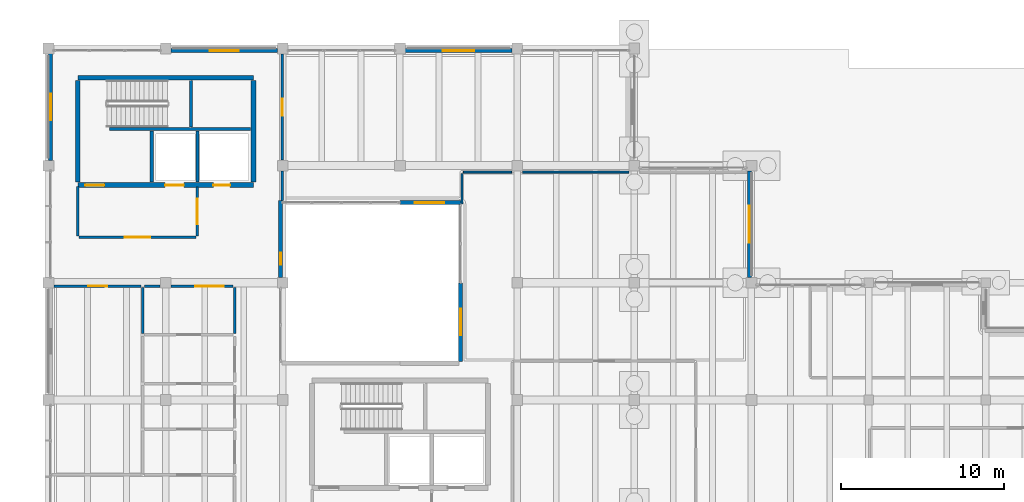
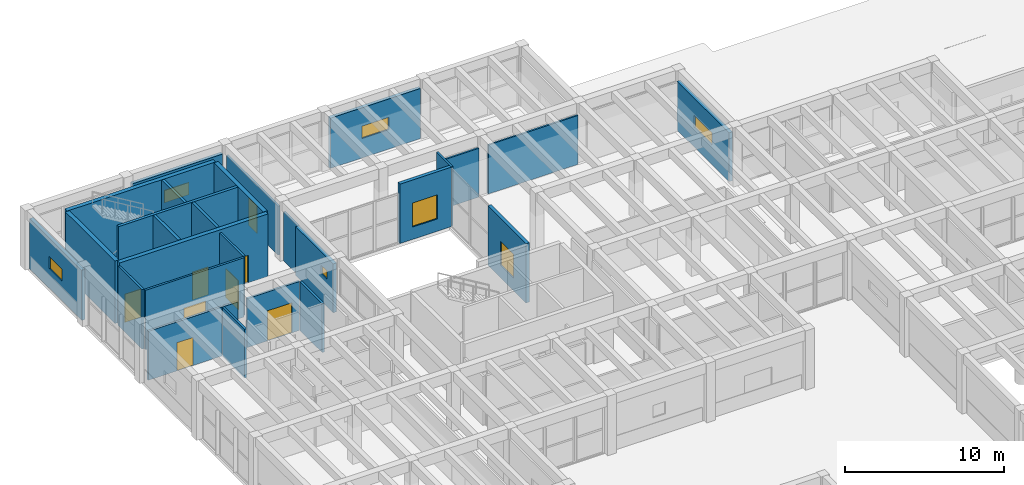
# One storey, part 124 of 155: 28 walls, 8 doors, 7 windows, 15 openings.
"""IFC4 building model written with IfcOpenShell, lengths in metres."""

from ifc_helpers import new_model, si_unit, direction, frame, frame_2d, origin, place, context, subcontext, project, spatial, rectangle, extrude, material, layer, layer_set, type_object, element, fill, save


model = new_model("IFC4")

# Units and contexts
model_context = context("Model", 3, precision=1e-05, world=origin(), true_north=direction((0.0, 1.0)))
body_context = subcontext(model_context, "Body", "Model", "MODEL_VIEW")
ifc_project = project(units=[si_unit("LENGTHUNIT", "METRE"), si_unit("AREAUNIT", "SQUARE_METRE"), si_unit("VOLUMEUNIT", "CUBIC_METRE"), si_unit("PLANEANGLEUNIT", "RADIAN"), si_unit("MASSUNIT", "GRAM", prefix="KILO")], contexts=[model_context])

# Site, building, storey
site_placement = place(None, origin())
site = spatial("IfcSite", under=ifc_project, at=site_placement, CompositionType="ELEMENT")
building_placement = place(site_placement, origin())
building = spatial("IfcBuilding", under=site, at=building_placement, Name="Bramvelor Terrace Health Centre", CompositionType="ELEMENT")
storey_placement = place(building_placement, origin())
storey = spatial("IfcBuildingStorey", under=building, at=storey_placement, Name="L01", CompositionType="ELEMENT", Elevation=0.0)

# Walls
ifc_material_1 = material(Name="Acoustic clinical partition board", Category="gypsum")
ifc_layer_1 = layer(ifc_material_1, 0.1201171875)
ifc_layer_set_1 = layer_set([ifc_layer_1], Name="Acoustic clinical partition board")
wall_type_1 = type_object("IfcWallType", Name="WL-CLN-120", PredefinedType="PARTITIONING", material=ifc_layer_set_1)
wall_1_placement = place(storey_placement, frame((25.489990234375, 107.60009765625, 0.0), z_axis=(0.0, 0.0, 1.0), x_axis=(1.0, 0.0, 0.0)))
element("IfcWall", 1, at=wall_1_placement, inside=storey, type_object=wall_type_1, Name="L01 Interior Partition 116", PredefinedType="PARTITIONING", context=body_context, shape_type="SweptSolid", body=[
    extrude(rectangle(XDim=2.969970703125, YDim=0.1201171875, at=frame_2d((1.48486328125, 0.0))), origin(), (0.0, 0.0, 1.0), 3.760009765625),
])
wall_2_placement = place(storey_placement, frame((29.139892578125, 107.60009765625, 0.0), z_axis=(0.0, 0.0, 1.0), x_axis=(1.0, 0.0, 0.0)))
element("IfcWall", 2, at=wall_2_placement, inside=storey, type_object=wall_type_1, Name="L01 Interior Partition 117", PredefinedType="PARTITIONING", context=body_context, shape_type="SweptSolid", body=[
    extrude(rectangle(XDim=6.52001953125, YDim=0.1201171875, at=frame_2d((3.260009765625, 0.0))), origin(), (0.0, 0.0, 1.0), 3.760009765625),
])
ifc_material_2 = material(Name="Acoustic clinical partition board", Category="gypsum")
ifc_layer_2 = layer(ifc_material_2, 0.1298828125)
ifc_layer_set_2 = layer_set([ifc_layer_2], Name="Acoustic clinical partition board")
wall_type_2 = type_object("IfcWallType", Name="WL-CLN-130", PredefinedType="PARTITIONING", material=ifc_layer_set_2)
wall_3_placement = place(storey_placement, frame((25.39990234375, 105.6494140625, 0.0), z_axis=(0.0, 0.0, 1.0), x_axis=(0.0, 1.0, 0.0)))
element("IfcWall", 3, at=wall_3_placement, inside=storey, type_object=wall_type_2, Name="L01 Interior Partition 115", PredefinedType="PARTITIONING", context=body_context, shape_type="SweptSolid", body=[
    extrude(rectangle(XDim=1.860595703125, YDim=0.1298828125, at=frame_2d((0.93017578125, 0.0))), origin(), (0.0, 0.0, 1.0), 4.570068359375),
])
ifc_material_3 = material(Name="Fire-rated gypsum and mineral wool", Category="gypsum")
ifc_layer_3 = layer(ifc_material_3, 0.139892578125)
ifc_layer_set_3 = layer_set([ifc_layer_3], Name="Fire-rated gypsum and mineral wool")
wall_type_3 = type_object("IfcWallType", Name="WL-COR-140", PredefinedType="PARTITIONING", material=ifc_layer_set_3)
wall_4_placement = place(storey_placement, frame((14.3701171875, 105.848388671875, 0.0), z_axis=(0.0, 0.0, 1.0), x_axis=(0.0, 1.0, 0.0)))
element("IfcWall", 4, at=wall_4_placement, inside=storey, type_object=wall_type_3, Name="L01 Interior Partition 119", PredefinedType="PARTITIONING", context=body_context, shape_type="SweptSolid", body=[
    extrude(rectangle(XDim=1.8115234375, YDim=0.139892578125, at=frame_2d((0.90576171875, 0.0))), origin(), (0.0, 0.0, 1.0), 3.760009765625),
])

# Wall, opening, door
wall_5_placement = place(storey_placement, frame((14.3701171875, 108.340087890625, 0.0), z_axis=(0.0, 0.0, 1.0), x_axis=(0.0, 1.0, 0.0)))
wall_5 = element("IfcWall", 5, at=wall_5_placement, inside=storey, type_object=wall_type_3, Name="L01 Interior Partition 120", PredefinedType="PARTITIONING", context=body_context, shape_type="SweptSolid", body=[
    extrude(rectangle(XDim=6.510009765625, YDim=0.139892578125, at=frame_2d((3.2548828125, 0.0))), origin(), (0.0, 0.0, 1.0), 3.760009765625),
])
opening_1_placement = place(wall_5_placement, frame((2.735107421875, 0.0, 0.0)))
opening_1 = element("IfcOpeningElement", 6, at=opening_1_placement, cuts=wall_5, Name="Opening FD-07", PredefinedType="OPENING", context=body_context, shape_type="SweptSolid", body=[
    extrude(rectangle(XDim=1.0400390625, YDim=2.1201171875, at=frame_2d((0.52001953125, 1.06005859375))), frame((0.0, 0.079833984375, 0.0), z_axis=(0.0, -1.0, 0.0), x_axis=(1.0, 0.0, 0.0)), (0.0, 0.0, 1.0), 0.159912109375),
])
ifc_material_4 = material(Name="Fire-rated steel and vision panel", Category="steel")
door_type_1 = type_object("IfcDoorType", Name="DR-FD60-104", OperationType="NOTDEFINED", PredefinedType="DOOR", material=ifc_material_4)
door_1_placement = place(opening_1_placement, origin())
door_1 = element("IfcDoor", 7, at=door_1_placement, inside=storey, type_object=door_type_1, Name="L01 Primary Care Nursing Suite Fire Door", OperationType="SINGLE_SWING_RIGHT", OverallHeight=2.1201171875, OverallWidth=1.0400390625, PredefinedType="DOOR", context=body_context, shape_type="SweptSolid", body=[
    extrude(rectangle(XDim=1.0400390625, YDim=2.1201171875, at=frame_2d((0.52001953125, 1.06005859375))), frame((0.0, 0.02490234375, 0.0), z_axis=(0.0, -1.0, 0.0), x_axis=(1.0, 0.0, 0.0)), (0.0, 0.0, 1.0), 0.050048828125),
])
fill(opening_1, door_1)

# Walls
ifc_material_5 = material(Name="Concrete C40/50", Category="concrete")
ifc_layer_4 = layer(ifc_material_5, 0.199951171875)
ifc_layer_set_4 = layer_set([ifc_layer_4], Name="Concrete C40/50")
wall_type_4 = type_object("IfcWallType", Name="WL-CORE-200", PredefinedType="SHEAR", material=ifc_layer_set_4)
wall_6_placement = place(storey_placement, frame((3.75, 110.25, 0.0), z_axis=(0.0, 0.0, 1.0), x_axis=(1.0, 0.0, 0.0)))
element("IfcWall", 8, at=wall_6_placement, inside=storey, type_object=wall_type_4, Name="C1 L01 Core Shear Wall", PredefinedType="SHEAR", context=body_context, shape_type="SweptSolid", body=[
    extrude(rectangle(XDim=8.669921875, YDim=0.199951171875, at=frame_2d((4.3349609375, 0.0))), origin(), (0.0, 0.0, 1.0), 4.800048828125),
])
wall_7_placement = place(storey_placement, frame((8.7548828125, 110.3701171875, 0.0), z_axis=(0.0, 0.0, 1.0), x_axis=(0.0, 1.0, 0.0)))
element("IfcWall", 9, at=wall_7_placement, inside=storey, type_object=wall_type_4, Name="C1 L01 Core Shear Wall", PredefinedType="SHEAR", context=body_context, shape_type="SweptSolid", body=[
    extrude(rectangle(XDim=2.849853515625, YDim=0.199951171875, at=frame_2d((1.4248046875, 0.0))), origin(), (0.0, 0.0, 1.0), 4.800048828125),
])
for number, where, z_axis, x_axis, name in (
    (10, (6.35009765625, 106.97998046875, 0.0), (0.0, 0.0, 1.0), (0.0, 1.0, 0.0), "C1 L01 Core Shear Wall"),
    (11, (9.14990234375, 106.97998046875, 0.0), (0.0, 0.0, 1.0), (0.0, 1.0, 0.0), "C1 L01 Lift Divider Wall"),
):
    element("IfcWall", number, at=place(storey_placement, frame(where, z_axis=z_axis, x_axis=x_axis)), inside=storey, type_object=wall_type_4, Name=name, PredefinedType="SHEAR", context=body_context, shape_type="SweptSolid", body=[
        extrude(rectangle(XDim=3.14990234375, YDim=0.199951171875, at=frame_2d((1.574951171875, 0.0))), origin(), (0.0, 0.0, 1.0), 4.800048828125),
    ])

# Wall, openings, doors
ifc_material_6 = material(Name="Concrete C40/50", Category="concrete")
ifc_layer_5 = layer(ifc_material_6, 0.300048828125)
ifc_layer_set_5 = layer_set([ifc_layer_5], Name="Concrete C40/50")
wall_type_5 = type_object("IfcWallType", Name="WL-CORE-300", PredefinedType="SHEAR", material=ifc_layer_set_5)
wall_8_placement = place(storey_placement, frame((1.800048828125, 106.800048828125, 0.0), z_axis=(0.0, 0.0, 1.0), x_axis=(1.0, 0.0, 0.0)))
wall_8 = element("IfcWall", 12, at=wall_8_placement, inside=storey, type_object=wall_type_5, Name="C1 L01 Core Shear Wall", PredefinedType="SHEAR", context=body_context, shape_type="SweptSolid", body=[
    extrude(rectangle(XDim=10.800048828125, YDim=0.300048828125, at=frame_2d((5.39990234375, 0.0))), origin(), (0.0, 0.0, 1.0), 4.800048828125),
])
opening_2_placement = place(wall_8_placement, frame((0.449951171875, 0.0, 0.0)))
opening_2 = element("IfcOpeningElement", 13, at=opening_2_placement, cuts=wall_8, Name="Opening FD-02", PredefinedType="OPENING", context=body_context, shape_type="SweptSolid", body=[
    extrude(rectangle(XDim=1.179931640625, YDim=2.159912109375, at=frame_2d((0.58984375, 1.080078125))), frame((0.0, 0.159912109375, 0.0), z_axis=(0.0, -1.0, 0.0), x_axis=(1.0, 0.0, 0.0)), (0.0, 0.0, 1.0), 0.320068359375),
])
opening_3_placement = place(wall_8_placement, frame((5.375, 0.0, 0.0)))
opening_3 = element("IfcOpeningElement", 14, at=opening_3_placement, cuts=wall_8, Name="Opening LD-1", PredefinedType="OPENING", context=body_context, shape_type="SweptSolid", body=[
    extrude(rectangle(XDim=1.14990234375, YDim=2.14990234375, at=frame_2d((0.574951171875, 1.074951171875))), frame((0.0, 0.159912109375, 0.0), z_axis=(0.0, -1.0, 0.0), x_axis=(1.0, 0.0, 0.0)), (0.0, 0.0, 1.0), 0.320068359375),
])
opening_4_placement = place(wall_8_placement, frame((8.340087890625, 0.0, 0.0)))
opening_4 = element("IfcOpeningElement", 15, at=opening_4_placement, cuts=wall_8, Name="Opening LD-2", PredefinedType="OPENING", context=body_context, shape_type="SweptSolid", body=[
    extrude(rectangle(XDim=1.02001953125, YDim=2.1201171875, at=frame_2d((0.510009765625, 1.06005859375))), frame((0.0, 0.159912109375, 0.0), z_axis=(0.0, -1.0, 0.0), x_axis=(1.0, 0.0, 0.0)), (0.0, 0.0, 1.0), 0.320068359375),
])
ifc_material_7 = material(Name="Fire-rated steel and vision panel", Category="steel")
door_type_2 = type_object("IfcDoorType", Name="DR-FD90-118", OperationType="NOTDEFINED", PredefinedType="DOOR", material=ifc_material_7)
door_2_placement = place(opening_2_placement, origin())
door_2 = element("IfcDoor", 16, at=door_2_placement, inside=storey, type_object=door_type_2, Name="C1 L01 Core Stair Fire Door", OperationType="SINGLE_SWING_LEFT", OverallHeight=2.159912109375, OverallWidth=1.179931640625, PredefinedType="DOOR", context=body_context, shape_type="SweptSolid", body=[
    extrude(rectangle(XDim=1.179931640625, YDim=2.159912109375, at=frame_2d((0.58984375, 1.080078125))), frame((0.0, 0.02490234375, 0.0), z_axis=(0.0, -1.0, 0.0), x_axis=(1.0, 0.0, 0.0)), (0.0, 0.0, 1.0), 0.050048828125),
])
fill(opening_2, door_2)
ifc_material_8 = material(Name="Brushed stainless steel 316", Category="steel")
door_type_3 = type_object("IfcDoorType", Name="DR-LIFT-FF115", OperationType="DOUBLE_DOOR_SLIDING", PredefinedType="DOOR", material=ifc_material_8)
door_3_placement = place(opening_3_placement, origin())
door_3 = element("IfcDoor", 17, at=door_3_placement, inside=storey, type_object=door_type_3, Name="Lift LF-01 L01 Sliding Landing Door", OperationType="DOUBLE_DOOR_SLIDING", OverallHeight=2.14990234375, OverallWidth=1.14990234375, PredefinedType="DOOR", context=body_context, shape_type="SweptSolid", body=[
    extrude(rectangle(XDim=1.14990234375, YDim=2.14990234375, at=frame_2d((0.574951171875, 1.074951171875))), frame((0.0, 0.02490234375, 0.0), z_axis=(0.0, -1.0, 0.0), x_axis=(1.0, 0.0, 0.0)), (0.0, 0.0, 1.0), 0.050048828125),
])
fill(opening_3, door_3)
ifc_material_9 = material(Name="Brushed stainless steel 316", Category="steel")
door_type_4 = type_object("IfcDoorType", Name="DR-LIFT-PS102", OperationType="SLIDING_TO_LEFT", PredefinedType="DOOR", material=ifc_material_9)
door_4_placement = place(opening_4_placement, origin())
door_4 = element("IfcDoor", 18, at=door_4_placement, inside=storey, type_object=door_type_4, Name="Lift LP-01 L01 Sliding Landing Door", OperationType="SLIDING_TO_LEFT", OverallHeight=2.1201171875, OverallWidth=1.02001953125, PredefinedType="DOOR", context=body_context, shape_type="SweptSolid", body=[
    extrude(rectangle(XDim=1.02001953125, YDim=2.1201171875, at=frame_2d((0.510009765625, 1.06005859375))), frame((0.0, 0.02490234375, 0.0), z_axis=(0.0, -1.0, 0.0), x_axis=(1.0, 0.0, 0.0)), (0.0, 0.0, 1.0), 0.050048828125),
])
fill(opening_4, door_4)

# Walls
wall_9_placement = place(storey_placement, frame((1.800048828125, 113.39990234375, 0.0), z_axis=(0.0, 0.0, 1.0), x_axis=(1.0, 0.0, 0.0)))
element("IfcWall", 19, at=wall_9_placement, inside=storey, type_object=wall_type_5, Name="C1 L01 Core Shear Wall", PredefinedType="SHEAR", context=body_context, shape_type="SweptSolid", body=[
    extrude(rectangle(XDim=10.800048828125, YDim=0.300048828125, at=frame_2d((5.39990234375, 0.0))), origin(), (0.0, 0.0, 1.0), 4.800048828125),
])
for number, where, z_axis, x_axis, name in (
    (20, (1.800048828125, 106.97998046875, 0.0), (0.0, 0.0, 1.0), (0.0, 1.0, 0.0), "C1 L01 Core Shear Wall"),
    (21, (12.60009765625, 106.97998046875, 0.0), (0.0, 0.0, 1.0), (0.0, 1.0, 0.0), "C1 L01 Core Shear Wall"),
):
    element("IfcWall", number, at=place(storey_placement, frame(where, z_axis=z_axis, x_axis=x_axis)), inside=storey, type_object=wall_type_5, Name=name, PredefinedType="SHEAR", context=body_context, shape_type="SweptSolid", body=[
        extrude(rectangle(XDim=6.239990234375, YDim=0.300048828125, at=frame_2d((3.1201171875, 0.0))), origin(), (0.0, 0.0, 1.0), 4.800048828125),
    ])

# Wall, opening, window
ifc_material_10 = material(Name="Precast concrete C40/50", Category="concrete")
ifc_layer_6 = layer(ifc_material_10, 0.25)
ifc_layer_set_6 = layer_set([ifc_layer_6], Name="Precast concrete C40/50")
wall_type_6 = type_object("IfcWallType", Name="WL-EXT-RC250", PredefinedType="SOLIDWALL", material=ifc_layer_set_6)
wall_10_placement = place(storey_placement, frame((0.1298828125, 108.320068359375, 0.0), z_axis=(0.0, 0.0, 1.0), x_axis=(0.0, 1.0, 0.0)))
wall_10 = element("IfcWall", 22, at=wall_10_placement, inside=storey, type_object=wall_type_6, Name="L01 Exterior Facade Wall 41", PredefinedType="SOLIDWALL", context=body_context, shape_type="SweptSolid", body=[
    extrude(rectangle(XDim=6.559814453125, YDim=0.25, at=frame_2d((3.27978515625, 0.0))), origin(), (0.0, 0.0, 1.0), 3.860107421875),
])
opening_5_placement = place(wall_10_placement, frame((2.455078125, 0.0, 1.5)))
opening_5 = element("IfcOpeningElement", 23, at=opening_5_placement, cuts=wall_10, Name="Opening WN-19", PredefinedType="OPENING", context=body_context, shape_type="SweptSolid", body=[
    extrude(rectangle(XDim=1.64990234375, YDim=0.949951171875, at=frame_2d((0.824951171875, 0.47509765625))), frame((0.0, 0.135009765625, 0.0), z_axis=(0.0, -1.0, 0.0), x_axis=(1.0, 0.0, 0.0)), (0.0, 0.0, 1.0), 0.27001953125),
])
ifc_material_11 = material(Name="Double low-E laminated glass", Category="glass")
window_type_1 = type_object("IfcWindowType", Name="WIN-EXT-19", PartitioningType="SINGLE_PANEL", PredefinedType="WINDOW", material=ifc_material_11)
window_1_placement = place(opening_5_placement, origin())
window_1 = element("IfcWindow", 24, at=window_1_placement, inside=storey, type_object=window_type_1, Name="L01 Scheduled Clinical Window 19", OverallHeight=0.949951171875, OverallWidth=1.64990234375, PartitioningType="SINGLE_PANEL", PredefinedType="WINDOW", context=body_context, shape_type="SweptSolid", body=[
    extrude(rectangle(XDim=1.64990234375, YDim=0.949951171875, at=frame_2d((0.824951171875, 0.47509765625))), frame((0.0, 0.030029296875, 0.0), z_axis=(0.0, -1.0, 0.0), x_axis=(1.0, 0.0, 0.0)), (0.0, 0.0, 1.0), 0.06005859375),
])
fill(opening_5, window_1)

wall_11_placement = place(storey_placement, frame((7.52001953125, 115.070068359375, 0.0), z_axis=(0.0, 0.0, 1.0), x_axis=(1.0, 0.0, 0.0)))
wall_11 = element("IfcWall", 25, at=wall_11_placement, inside=storey, type_object=wall_type_6, Name="L01 Exterior Facade Wall 43", PredefinedType="SOLIDWALL", context=body_context, shape_type="SweptSolid", body=[
    extrude(rectangle(XDim=6.56005859375, YDim=0.25, at=frame_2d((3.280029296875, 0.0))), origin(), (0.0, 0.0, 1.0), 3.860107421875),
])
opening_6_placement = place(wall_11_placement, frame((2.3798828125, 0.0, 1.5)))
opening_6 = element("IfcOpeningElement", 26, at=opening_6_placement, cuts=wall_11, Name="Opening WN-20", PredefinedType="OPENING", context=body_context, shape_type="SweptSolid", body=[
    extrude(rectangle(XDim=1.800048828125, YDim=0.949951171875, at=frame_2d((0.89990234375, 0.47509765625))), frame((0.0, 0.135009765625, 0.0), z_axis=(0.0, -1.0, 0.0), x_axis=(1.0, 0.0, 0.0)), (0.0, 0.0, 1.0), 0.27001953125),
])
ifc_material_12 = material(Name="Double low-E laminated glass", Category="glass")
window_type_2 = type_object("IfcWindowType", Name="WIN-EXT-20", PartitioningType="SINGLE_PANEL", PredefinedType="WINDOW", material=ifc_material_12)
window_2_placement = place(opening_6_placement, origin())
window_2 = element("IfcWindow", 27, at=window_2_placement, inside=storey, type_object=window_type_2, Name="L01 Scheduled Clinical Window 20", OverallHeight=0.949951171875, OverallWidth=1.800048828125, PartitioningType="SINGLE_PANEL", PredefinedType="WINDOW", context=body_context, shape_type="SweptSolid", body=[
    extrude(rectangle(XDim=1.800048828125, YDim=0.949951171875, at=frame_2d((0.89990234375, 0.47509765625))), frame((0.0, 0.030029296875, 0.0), z_axis=(0.0, -1.0, 0.0), x_axis=(1.0, 0.0, 0.0)), (0.0, 0.0, 1.0), 0.06005859375),
])
fill(opening_6, window_2)

wall_12_placement = place(storey_placement, frame((21.919921875, 115.070068359375, 0.0), z_axis=(0.0, 0.0, 1.0), x_axis=(1.0, 0.0, 0.0)))
wall_12 = element("IfcWall", 28, at=wall_12_placement, inside=storey, type_object=wall_type_6, Name="L01 Exterior Facade Wall 45", PredefinedType="SOLIDWALL", context=body_context, shape_type="SweptSolid", body=[
    extrude(rectangle(XDim=6.56005859375, YDim=0.25, at=frame_2d((3.280029296875, 0.0))), origin(), (0.0, 0.0, 1.0), 3.860107421875),
])
opening_7_placement = place(wall_12_placement, frame((2.304931640625, 0.0, 1.5)))
opening_7 = element("IfcOpeningElement", 29, at=opening_7_placement, cuts=wall_12, Name="Opening WN-21", PredefinedType="OPENING", context=body_context, shape_type="SweptSolid", body=[
    extrude(rectangle(XDim=1.949951171875, YDim=0.949951171875, at=frame_2d((0.97509765625, 0.47509765625))), frame((0.0, 0.135009765625, 0.0), z_axis=(0.0, -1.0, 0.0), x_axis=(1.0, 0.0, 0.0)), (0.0, 0.0, 1.0), 0.27001953125),
])
ifc_material_13 = material(Name="Double low-E laminated glass", Category="glass")
window_type_3 = type_object("IfcWindowType", Name="WIN-EXT-21", PartitioningType="SINGLE_PANEL", PredefinedType="WINDOW", material=ifc_material_13)
window_3_placement = place(opening_7_placement, origin())
window_3 = element("IfcWindow", 30, at=window_3_placement, inside=storey, type_object=window_type_3, Name="L01 Scheduled Clinical Window 21", OverallHeight=0.949951171875, OverallWidth=1.949951171875, PartitioningType="SINGLE_PANEL", PredefinedType="WINDOW", context=body_context, shape_type="SweptSolid", body=[
    extrude(rectangle(XDim=1.949951171875, YDim=0.949951171875, at=frame_2d((0.97509765625, 0.47509765625))), frame((0.0, 0.030029296875, 0.0), z_axis=(0.0, -1.0, 0.0), x_axis=(1.0, 0.0, 0.0)), (0.0, 0.0, 1.0), 0.06005859375),
])
fill(opening_7, window_3)

wall_13_placement = place(storey_placement, frame((43.070068359375, 107.679931640625, 0.0), z_axis=(0.0, 0.0, 1.0), x_axis=(0.0, -1.0, 0.0)))
wall_13 = element("IfcWall", 31, at=wall_13_placement, inside=storey, type_object=wall_type_6, Name="L01 Exterior Facade Wall 49", PredefinedType="SOLIDWALL", context=body_context, shape_type="SweptSolid", body=[
    extrude(rectangle(XDim=6.559814453125, YDim=0.25, at=frame_2d((3.27978515625, 0.0))), origin(), (0.0, 0.0, 1.0), 3.760009765625),
])
opening_8_placement = place(wall_13_placement, frame((2.155029296875, 0.0, 1.5)))
opening_8 = element("IfcOpeningElement", 32, at=opening_8_placement, cuts=wall_13, Name="Opening WN-23", PredefinedType="OPENING", context=body_context, shape_type="SweptSolid", body=[
    extrude(rectangle(XDim=2.25, YDim=0.949951171875, at=frame_2d((1.125, 0.47509765625))), frame((0.0, 0.135009765625, 0.0), z_axis=(0.0, -1.0, 0.0), x_axis=(1.0, 0.0, 0.0)), (0.0, 0.0, 1.0), 0.27001953125),
])
ifc_material_14 = material(Name="Double low-E laminated glass", Category="glass")
window_type_4 = type_object("IfcWindowType", Name="WIN-EXT-23", PartitioningType="SINGLE_PANEL", PredefinedType="WINDOW", material=ifc_material_14)
window_4_placement = place(opening_8_placement, origin())
window_4 = element("IfcWindow", 33, at=window_4_placement, inside=storey, type_object=window_type_4, Name="L01 Scheduled Clinical Window 23", OverallHeight=0.949951171875, OverallWidth=2.25, PartitioningType="SINGLE_PANEL", PredefinedType="WINDOW", context=body_context, shape_type="SweptSolid", body=[
    extrude(rectangle(XDim=2.25, YDim=0.949951171875, at=frame_2d((1.125, 0.47509765625))), frame((0.0, 0.030029296875, 0.0), z_axis=(0.0, -1.0, 0.0), x_axis=(1.0, 0.0, 0.0)), (0.0, 0.0, 1.0), 0.06005859375),
])
fill(opening_8, window_4)

wall_14_placement = place(storey_placement, frame((25.330078125, 95.97998046875, 0.0), z_axis=(0.0, 0.0, 1.0), x_axis=(0.0, 1.0, 0.0)))
wall_14 = element("IfcWall", 34, at=wall_14_placement, inside=storey, type_object=wall_type_6, Name="L01 Exterior Facade Wall 143", PredefinedType="SOLIDWALL", context=body_context, shape_type="SweptSolid", body=[
    extrude(rectangle(XDim=4.820068359375, YDim=0.25, at=frame_2d((2.41015625, 0.0))), origin(), (0.0, 0.0, 1.0), 4.570068359375),
])
opening_9_placement = place(wall_14_placement, frame((1.5849609375, 0.0, 0.949951171875)))
opening_9 = element("IfcOpeningElement", 35, at=opening_9_placement, cuts=wall_14, Name="Opening WN-55", PredefinedType="OPENING", context=body_context, shape_type="SweptSolid", body=[
    extrude(rectangle(XDim=1.64990234375, YDim=1.85009765625, at=frame_2d((0.824951171875, 0.925048828125))), frame((0.0, 0.135009765625, 0.0), z_axis=(0.0, -1.0, 0.0), x_axis=(1.0, 0.0, 0.0)), (0.0, 0.0, 1.0), 0.27001953125),
])
ifc_material_15 = material(Name="Double low-E laminated glass", Category="glass")
window_type_5 = type_object("IfcWindowType", Name="WIN-EXT-55", PartitioningType="SINGLE_PANEL", PredefinedType="WINDOW", material=ifc_material_15)
window_5_placement = place(opening_9_placement, origin())
window_5 = element("IfcWindow", 36, at=window_5_placement, inside=storey, type_object=window_type_5, Name="L01 Scheduled Clinical Window 55", OverallHeight=1.85009765625, OverallWidth=1.64990234375, PartitioningType="SINGLE_PANEL", PredefinedType="WINDOW", context=body_context, shape_type="SweptSolid", body=[
    extrude(rectangle(XDim=1.64990234375, YDim=1.85009765625, at=frame_2d((0.824951171875, 0.925048828125))), frame((0.0, 0.030029296875, 0.0), z_axis=(0.0, -1.0, 0.0), x_axis=(1.0, 0.0, 0.0)), (0.0, 0.0, 1.0), 0.06005859375),
])
fill(opening_9, window_5)

wall_15_placement = place(storey_placement, frame((25.35107421875, 105.72998046875, 0.0), z_axis=(0.0, 0.0, 1.0), x_axis=(-1.0, 0.0, 0.0)))
wall_15 = element("IfcWall", 37, at=wall_15_placement, inside=storey, type_object=wall_type_6, Name="L01 Exterior Facade Wall 145", PredefinedType="SOLIDWALL", context=body_context, shape_type="SweptSolid", body=[
    extrude(rectangle(XDim=3.7509765625, YDim=0.25, at=frame_2d((1.87548828125, 0.0))), origin(), (0.0, 0.0, 1.0), 4.570068359375),
])
opening_10_placement = place(wall_15_placement, frame((1.031005859375, 0.0, 0.949951171875)))
opening_10 = element("IfcOpeningElement", 38, at=opening_10_placement, cuts=wall_15, Name="Opening WN-56", PredefinedType="OPENING", context=body_context, shape_type="SweptSolid", body=[
    extrude(rectangle(XDim=1.800048828125, YDim=1.85009765625, at=frame_2d((0.89990234375, 0.925048828125))), frame((0.0, 0.135009765625, 0.0), z_axis=(0.0, -1.0, 0.0), x_axis=(1.0, 0.0, 0.0)), (0.0, 0.0, 1.0), 0.27001953125),
])
ifc_material_16 = material(Name="Double low-E laminated glass", Category="glass")
window_type_6 = type_object("IfcWindowType", Name="WIN-EXT-56", PartitioningType="SINGLE_PANEL", PredefinedType="WINDOW", material=ifc_material_16)
window_6_placement = place(opening_10_placement, origin())
window_6 = element("IfcWindow", 39, at=window_6_placement, inside=storey, type_object=window_type_6, Name="L01 Scheduled Clinical Window 56", OverallHeight=1.85009765625, OverallWidth=1.800048828125, PartitioningType="SINGLE_PANEL", PredefinedType="WINDOW", context=body_context, shape_type="SweptSolid", body=[
    extrude(rectangle(XDim=1.800048828125, YDim=1.85009765625, at=frame_2d((0.89990234375, 0.925048828125))), frame((0.0, 0.030029296875, 0.0), z_axis=(0.0, -1.0, 0.0), x_axis=(1.0, 0.0, 0.0)), (0.0, 0.0, 1.0), 0.06005859375),
])
fill(opening_10, window_6)

wall_16_placement = place(storey_placement, frame((14.27001953125, 105.861083984375, 0.0), z_axis=(0.0, 0.0, 1.0), x_axis=(0.0, -1.0, 0.0)))
wall_16 = element("IfcWall", 40, at=wall_16_placement, inside=storey, type_object=wall_type_6, Name="L01 Exterior Facade Wall 147", PredefinedType="SOLIDWALL", context=body_context, shape_type="SweptSolid", body=[
    extrude(rectangle(XDim=4.740966796875, YDim=0.25, at=frame_2d((2.37060546875, 0.0))), origin(), (0.0, 0.0, 1.0), 3.760009765625),
])
opening_11_placement = place(wall_16_placement, frame((3.216064453125, 0.0, 2.10009765625)))
opening_11 = element("IfcOpeningElement", 41, at=opening_11_placement, cuts=wall_16, Name="Opening WN-01", PredefinedType="OPENING", context=body_context, shape_type="SweptSolid", body=[
    extrude(rectangle(XDim=0.75, YDim=0.64990234375, at=frame_2d((0.375, 0.324951171875))), frame((0.0, 0.135009765625, 0.0), z_axis=(0.0, -1.0, 0.0), x_axis=(1.0, 0.0, 0.0)), (0.0, 0.0, 1.0), 0.27001953125),
])
ifc_material_17 = material(Name="Double low-E laminated glass", Category="glass")
window_type_7 = type_object("IfcWindowType", Name="WIN-EXT-01", PartitioningType="SINGLE_PANEL", PredefinedType="WINDOW", material=ifc_material_17)
window_7_placement = place(opening_11_placement, origin())
window_7 = element("IfcWindow", 42, at=window_7_placement, inside=storey, type_object=window_type_7, Name="L01 Scheduled Clinical Window 57", OverallHeight=0.64990234375, OverallWidth=0.75, PartitioningType="SINGLE_PANEL", PredefinedType="WINDOW", context=body_context, shape_type="SweptSolid", body=[
    extrude(rectangle(XDim=0.75, YDim=0.64990234375, at=frame_2d((0.375, 0.324951171875))), frame((0.0, 0.030029296875, 0.0), z_axis=(0.0, -1.0, 0.0), x_axis=(1.0, 0.0, 0.0)), (0.0, 0.0, 1.0), 0.06005859375),
])
fill(opening_11, window_7)

# Wall
ifc_material_18 = material(Name="Fire-rated gypsum and mineral wool", Category="gypsum")
ifc_layer_7 = layer(ifc_material_18, 0.14990234375)
ifc_layer_set_7 = layer_set([ifc_layer_7], Name="Fire-rated gypsum and mineral wool")
wall_type_7 = type_object("IfcWallType", Name="WL-FIR-150", PredefinedType="PARTITIONING", material=ifc_layer_set_7)
wall_17_placement = place(storey_placement, frame((1.800048828125, 103.68994140625, 0.0), z_axis=(0.0, 0.0, 1.0), x_axis=(0.0, 1.0, 0.0)))
element("IfcWall", 43, at=wall_17_placement, inside=storey, type_object=wall_type_7, Name="L01 Interior Partition 46", PredefinedType="PARTITIONING", context=body_context, shape_type="SweptSolid", body=[
    extrude(rectangle(XDim=3.01513671875, YDim=0.14990234375, at=frame_2d((1.507568359375, 0.0))), origin(), (0.0, 0.0, 1.0), 4.570068359375),
])

# Wall, opening, door
wall_18_placement = place(storey_placement, frame((9.14990234375, 106.68310546875, 0.0), z_axis=(0.0, 0.0, 1.0), x_axis=(0.0, -1.0, 0.0)))
wall_18 = element("IfcWall", 44, at=wall_18_placement, inside=storey, type_object=wall_type_7, Name="L01 Interior Partition 47", PredefinedType="PARTITIONING", context=body_context, shape_type="SweptSolid", body=[
    extrude(rectangle(XDim=2.9931640625, YDim=0.14990234375, at=frame_2d((1.49658203125, 0.0))), origin(), (0.0, 0.0, 1.0), 4.570068359375),
])
opening_12_placement = place(wall_18_placement, frame((0.716552734375, 0.0, 0.0)))
opening_12 = element("IfcOpeningElement", 45, at=opening_12_placement, cuts=wall_18, Name="Opening FD-03", PredefinedType="OPENING", context=body_context, shape_type="SweptSolid", body=[
    extrude(rectangle(XDim=1.56005859375, YDim=2.219970703125, at=frame_2d((0.780029296875, 1.10986328125))), frame((0.0, 0.0849609375, 0.0), z_axis=(0.0, -1.0, 0.0), x_axis=(1.0, 0.0, 0.0)), (0.0, 0.0, 1.0), 0.169921875),
])
ifc_material_19 = material(Name="Fire-rated steel and vision panel", Category="steel")
door_type_5 = type_object("IfcDoorType", Name="DR-FD90-156", OperationType="DOUBLE_DOOR_SINGLE_SWING", PredefinedType="DOOR", material=ifc_material_19)
door_5_placement = place(opening_12_placement, origin())
door_5 = element("IfcDoor", 46, at=door_5_placement, inside=storey, type_object=door_type_5, Name="L01 Fire Compartment Lobby Door 18", OperationType="DOUBLE_DOOR_SINGLE_SWING", OverallHeight=2.219970703125, OverallWidth=1.56005859375, PredefinedType="DOOR", context=body_context, shape_type="SweptSolid", body=[
    extrude(rectangle(XDim=1.56005859375, YDim=2.219970703125, at=frame_2d((0.780029296875, 1.10986328125))), frame((0.0, 0.02490234375, 0.0), z_axis=(0.0, -1.0, 0.0), x_axis=(1.0, 0.0, 0.0)), (0.0, 0.0, 1.0), 0.050048828125),
])
fill(opening_12, door_5)

wall_19_placement = place(storey_placement, frame((9.06005859375, 103.60009765625, 0.0), z_axis=(0.0, 0.0, 1.0), x_axis=(-1.0, 0.0, 0.0)))
wall_19 = element("IfcWall", 47, at=wall_19_placement, inside=storey, type_object=wall_type_7, Name="L01 Interior Partition 48", PredefinedType="PARTITIONING", context=body_context, shape_type="SweptSolid", body=[
    extrude(rectangle(XDim=7.170166015625, YDim=0.14990234375, at=frame_2d((3.5849609375, 0.0))), origin(), (0.0, 0.0, 1.0), 4.570068359375),
])
opening_13_placement = place(wall_19_placement, frame((2.804931640625, 0.0, 0.0)))
opening_13 = element("IfcOpeningElement", 48, at=opening_13_placement, cuts=wall_19, Name="Opening FD-03", PredefinedType="OPENING", context=body_context, shape_type="SweptSolid", body=[
    extrude(rectangle(XDim=1.56005859375, YDim=2.219970703125, at=frame_2d((0.780029296875, 1.10986328125))), frame((0.0, 0.0849609375, 0.0), z_axis=(0.0, -1.0, 0.0), x_axis=(1.0, 0.0, 0.0)), (0.0, 0.0, 1.0), 0.169921875),
])
door_6_placement = place(opening_13_placement, origin())
door_6 = element("IfcDoor", 49, at=door_6_placement, inside=storey, type_object=door_type_5, Name="L01 Fire Compartment Lobby Door 19", OperationType="DOUBLE_DOOR_SINGLE_SWING", OverallHeight=2.219970703125, OverallWidth=1.56005859375, PredefinedType="DOOR", context=body_context, shape_type="SweptSolid", body=[
    extrude(rectangle(XDim=1.56005859375, YDim=2.219970703125, at=frame_2d((0.780029296875, 1.10986328125))), frame((0.0, 0.02490234375, 0.0), z_axis=(0.0, -1.0, 0.0), x_axis=(1.0, 0.0, 0.0)), (0.0, 0.0, 1.0), 0.050048828125),
])
fill(opening_13, door_6)

# Wall
wall_20_placement = place(storey_placement, frame((5.800048828125, 97.68994140625, 0.0), z_axis=(0.0, 0.0, 1.0), x_axis=(0.0, 1.0, 0.0)))
element("IfcWall", 50, at=wall_20_placement, inside=storey, type_object=wall_type_7, Name="L01 Interior Partition 65", PredefinedType="PARTITIONING", context=body_context, shape_type="SweptSolid", body=[
    extrude(rectangle(XDim=2.818115234375, YDim=0.14990234375, at=frame_2d((1.4091796875, 0.0))), origin(), (0.0, 0.0, 1.0), 3.760009765625),
])

# Wall, opening, door
wall_21_placement = place(storey_placement, frame((0.35009765625, 100.60009765625, 0.0), z_axis=(0.0, 0.0, 1.0), x_axis=(0.999999915657, -0.000410715066, 0.0)))
wall_21 = element("IfcWall", 51, at=wall_21_placement, inside=storey, type_object=wall_type_7, Name="L01 Interior Partition 75", PredefinedType="PARTITIONING", context=body_context, shape_type="SweptSolid", body=[
    extrude(rectangle(XDim=5.349853515625, YDim=0.14990234375, at=frame_2d((2.6748046875, 0.0))), origin(), (0.0, 0.0, 1.0), 3.760009765625),
])
opening_14_placement = place(wall_21_placement, frame((2.0849609375, 0.0, 0.0)))
opening_14 = element("IfcOpeningElement", 52, at=opening_14_placement, cuts=wall_21, Name="Opening FD-02", PredefinedType="OPENING", context=body_context, shape_type="SweptSolid", body=[
    extrude(rectangle(XDim=1.179931640625, YDim=2.159912109375, at=frame_2d((0.58984375, 1.080078125))), frame((0.0, 0.0849609375, 0.0), z_axis=(0.0, -1.0, 0.0), x_axis=(1.0, 0.0, 0.0)), (0.0, 0.0, 1.0), 0.169921875),
])
door_7_placement = place(opening_14_placement, origin())
door_7 = element("IfcDoor", 53, at=door_7_placement, inside=storey, type_object=door_type_2, Name="L01 Fire Command Room Fire Door", OperationType="SINGLE_SWING_LEFT", OverallHeight=2.159912109375, OverallWidth=1.179931640625, PredefinedType="DOOR", context=body_context, shape_type="SweptSolid", body=[
    extrude(rectangle(XDim=1.179931640625, YDim=2.159912109375, at=frame_2d((0.58984375, 1.080078125))), frame((0.0, 0.02490234375, 0.0), z_axis=(0.0, -1.0, 0.0), x_axis=(1.0, 0.0, 0.0)), (0.0, 0.0, 1.0), 0.050048828125),
])
fill(opening_14, door_7)

# Wall
ifc_material_20 = material(Name="Moisture-resistant service chase board", Category="gypsum")
ifc_layer_8 = layer(ifc_material_20, 0.159912109375)
ifc_layer_set_8 = layer_set([ifc_layer_8], Name="Moisture-resistant service chase board")
wall_type_8 = type_object("IfcWallType", Name="WL-PLM-160", PredefinedType="PLUMBINGWALL", material=ifc_layer_set_8)
wall_22_placement = place(storey_placement, frame((5.889892578125, 100.597900390625, 0.0), z_axis=(0.0, 0.0, 1.0), x_axis=(1.0, 0.0, 0.0)))
element("IfcWall", 54, at=wall_22_placement, inside=storey, type_object=wall_type_8, Name="L01 Interior Partition 61", PredefinedType="PLUMBINGWALL", context=body_context, shape_type="SweptSolid", body=[
    extrude(rectangle(XDim=0.97021484375, YDim=0.159912109375, at=frame_2d((0.485107421875, 0.0))), origin(), (0.0, 0.0, 1.0), 3.760009765625),
])

# Wall, opening, door
wall_23_placement = place(storey_placement, frame((7.5400390625, 100.597900390625, 0.0), z_axis=(0.0, 0.0, 1.0), x_axis=(1.0, 0.0, 0.0)))
wall_23 = element("IfcWall", 55, at=wall_23_placement, inside=storey, type_object=wall_type_8, Name="L01 Interior Partition 62", PredefinedType="PLUMBINGWALL", context=body_context, shape_type="SweptSolid", body=[
    extrude(rectangle(XDim=3.81005859375, YDim=0.159912109375, at=frame_2d((1.905029296875, 0.0))), origin(), (0.0, 0.0, 1.0), 3.760009765625),
])
opening_15_placement = place(wall_23_placement, frame((1.465087890625, 0.0, 0.0)))
opening_15 = element("IfcOpeningElement", 56, at=opening_15_placement, cuts=wall_23, Name="Opening ID-DB2", PredefinedType="OPENING", context=body_context, shape_type="SweptSolid", body=[
    extrude(rectangle(XDim=1.780029296875, YDim=2.320068359375, at=frame_2d((0.89013671875, 1.16015625))), frame((0.0, 0.08984375, 0.0), z_axis=(0.0, -1.0, 0.0), x_axis=(1.0, 0.0, 0.0)), (0.0, 0.0, 1.0), 0.179931640625),
])
ifc_material_21 = material(Name="Solid-core acoustic timber laminate", Category="wood")
door_type_6 = type_object("IfcDoorType", Name="DR-DBL-178", OperationType="DOUBLE_DOOR_SINGLE_SWING", PredefinedType="DOOR", material=ifc_material_21)
door_8_placement = place(opening_15_placement, origin())
door_8 = element("IfcDoor", 57, at=door_8_placement, inside=storey, type_object=door_type_6, Name="L01 Accessible Male WC Clinical Door", OperationType="DOUBLE_DOOR_SINGLE_SWING", OverallHeight=2.320068359375, OverallWidth=1.780029296875, PredefinedType="DOOR", context=body_context, shape_type="SweptSolid", body=[
    extrude(rectangle(XDim=1.780029296875, YDim=2.320068359375, at=frame_2d((0.89013671875, 1.16015625))), frame((0.0, 0.02490234375, 0.0), z_axis=(0.0, -1.0, 0.0), x_axis=(1.0, 0.0, 0.0)), (0.0, 0.0, 1.0), 0.050048828125),
])
fill(opening_15, door_8)

# Wall
wall_24_placement = place(storey_placement, frame((11.43994140625, 100.508056640625, 0.0), z_axis=(0.0, 0.0, 1.0), x_axis=(0.0, -1.0, 0.0)))
element("IfcWall", 58, at=wall_24_placement, inside=storey, type_object=wall_type_8, Name="L01 Interior Partition 63", PredefinedType="PLUMBINGWALL", context=body_context, shape_type="SweptSolid", body=[
    extrude(rectangle(XDim=2.818115234375, YDim=0.159912109375, at=frame_2d((1.4091796875, 0.0))), origin(), (0.0, 0.0, 1.0), 3.760009765625),
])

save(model, "model.ifc")
